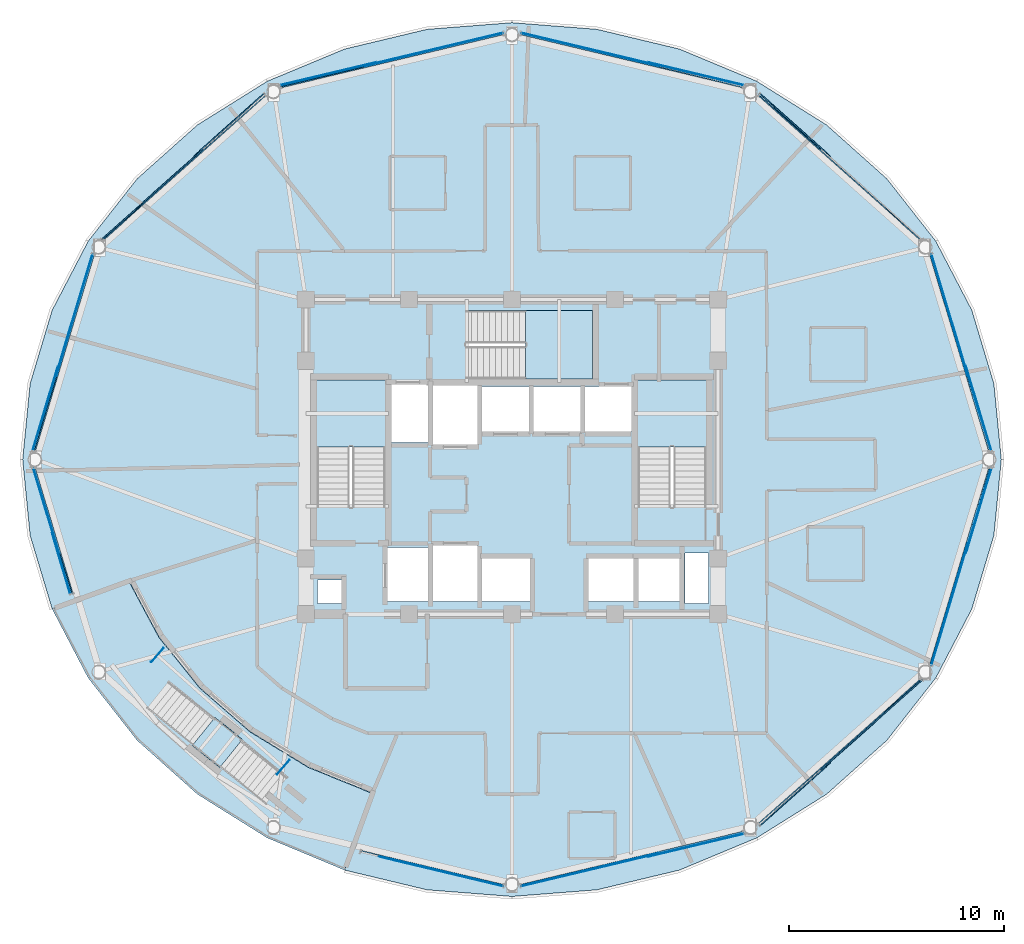
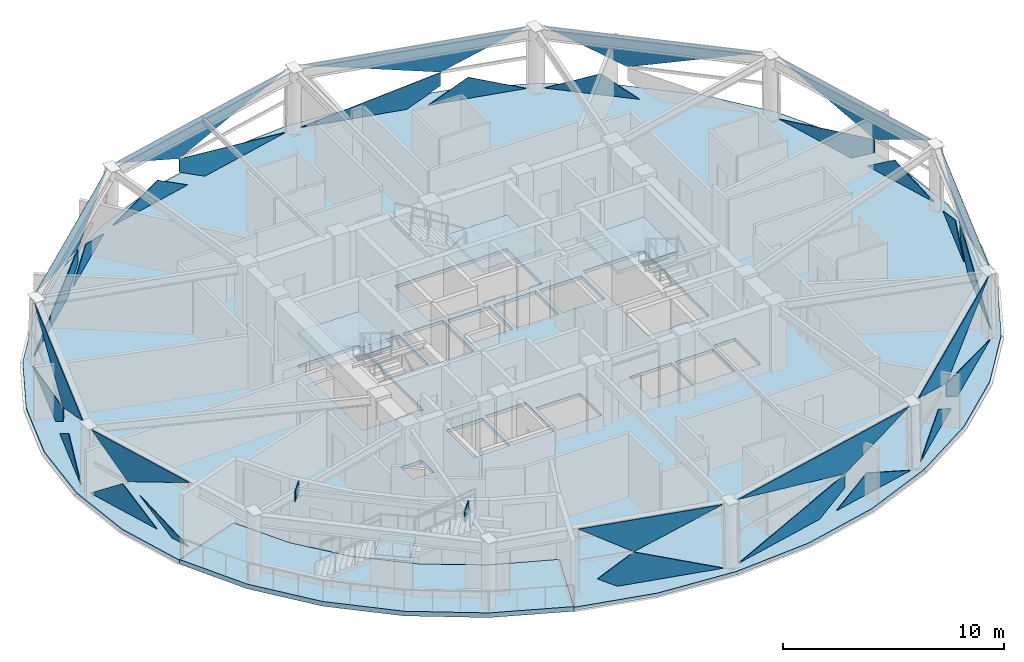
# One storey, part 8 of 17: 33 plates, 6 slabs, 15 elements without a shape of their own.
"""IFC4 building model written with IfcOpenShell, lengths in metres."""

import ifcopenshell
import ifcopenshell.guid

model = None  # the IFC model being written
_history = None  # IfcOwnerHistory: only IFC2X3 demands one
_inside = {}  # id of a spatial element -> (the spatial element, [elements in it])
_under = {}  # id of a project, library or spatial element -> (it, [spatial elements below it])
_declared = {}  # id of a project -> (the project, [libraries it declares])
_typed = {}  # id of a type object -> (the type object, [elements of that type])
_made_of = {}  # id of a material, layer set ... -> (it, [elements and type objects made of it])


def new_model(schema):
    """Start an empty IFC model of exactly this schema.

    Asked for "IFC4X3", IfcOpenShell would pick the latest addendum, in which some entities
    have other attributes; the version numbers below select the first issue.
    IFC2X3 requires an IfcOwnerHistory on every rooted entity: one is made here for all.
    """
    global model, _history
    if schema == "IFC4X3":
        model = ifcopenshell.file(schema_version=(4, 3, 0, 0))
    else:
        model = ifcopenshell.file(schema=schema)
    _inside.clear()
    _under.clear()
    _declared.clear()
    _typed.clear()
    _made_of.clear()
    _history = None
    if model.schema == "IFC2X3":
        org = make("IfcOrganization", Name="unknown")
        user = make(
            "IfcPersonAndOrganization",
            ThePerson=make("IfcPerson", FamilyName="unknown"),
            TheOrganization=org,
        )
        app = make(
            "IfcApplication",
            ApplicationDeveloper=org,
            Version="unknown",
            ApplicationFullName="unknown",
            ApplicationIdentifier="unknown",
        )
        _history = make(
            "IfcOwnerHistory",
            OwningUser=user,
            OwningApplication=app,
            ChangeAction="ADDED",
            CreationDate=0,
        )
    return model


def make(cls, **values):
    """One entity of the class cls with the attributes given. An attribute that is None is left unset."""
    return model.create_entity(
        cls, **{name: value for name, value in values.items() if value is not None}
    )


def rooted(cls, **values):
    """An entity with a GlobalId (a new one), such as an element, a storey or a relation."""
    return make(cls, GlobalId=ifcopenshell.guid.new(), OwnerHistory=_history, **values)


def si_unit(unit_type, name, prefix=None):
    """IfcSIUnit, for example si_unit("LENGTHUNIT", "METRE", prefix="MILLI")."""
    return make("IfcSIUnit", UnitType=unit_type, Prefix=prefix, Name=name)


def assignment(units):
    """IfcUnitAssignment: the units of a project."""
    return None if units is None else make("IfcUnitAssignment", Units=units)


def point(xyz):
    """IfcCartesianPoint."""
    return None if xyz is None else make("IfcCartesianPoint", Coordinates=xyz)


def direction(xyz):
    """IfcDirection."""
    return None if xyz is None else make("IfcDirection", DirectionRatios=xyz)


def frame(location, z_axis=None, x_axis=None):
    """IfcAxis2Placement3D, a coordinate frame: its origin and axes. An axis left out is left unset."""
    return make(
        "IfcAxis2Placement3D",
        Location=point(location),
        Axis=direction(z_axis),
        RefDirection=direction(x_axis),
    )


def frame_2d(location, x_axis=None):
    """IfcAxis2Placement2D, a coordinate frame in the plane: its origin and x axis."""
    return make(
        "IfcAxis2Placement2D", Location=point(location), RefDirection=direction(x_axis)
    )


def origin():
    """The frame at (0, 0, 0) with its axes left unset."""
    return frame((0.0, 0.0, 0.0))


def origin_2d():
    """The frame at (0, 0) in the plane with its x axis left unset."""
    return frame_2d((0.0, 0.0))


def place(relative_to, where):
    """IfcLocalPlacement: puts the frame where relative to a parent placement (None: the world)."""
    return make(
        "IfcLocalPlacement", PlacementRelTo=relative_to, RelativePlacement=where
    )


def context(
    kind, dimensions, precision=None, world=None, true_north=None, identifier=None
):
    """IfcGeometricRepresentationContext, for example the 3D "Model" context."""
    return make(
        "IfcGeometricRepresentationContext",
        ContextIdentifier=identifier,
        ContextType=kind,
        CoordinateSpaceDimension=dimensions,
        Precision=precision,
        WorldCoordinateSystem=world,
        TrueNorth=true_north,
    )


def subcontext(parent, identifier, kind, view, scale=None):
    """IfcGeometricRepresentationSubContext, for example "Body" below "Model"."""
    return make(
        "IfcGeometricRepresentationSubContext",
        ContextIdentifier=identifier,
        ContextType=kind,
        ParentContext=parent,
        TargetScale=scale,
        TargetView=view,
    )


def project(units=None, contexts=None):
    """IfcProject with its units and contexts."""
    return rooted(
        "IfcProject",
        Name="project",
        RepresentationContexts=contexts,
        UnitsInContext=assignment(units),
    )


def spatial(cls, under=None, at=None, **own):
    """A site, building, storey or space (cls), placed at a placement, below another one or the project."""
    s = rooted(cls, ObjectPlacement=at, **own)
    if under is not None:
        _under.setdefault(under.id(), (under, []))[1].append(s)
    return s


def polyline(points):
    """IfcPolyline through the points."""
    return make("IfcPolyline", Points=[point(p) for p in points])


def profile(cls, at=None, kind="AREA", **sizes):
    """A parametric profile (cls). Its sizes go by their IFC names, for example OverallWidth=200.0."""
    return make(cls, ProfileType=kind, Position=at, **sizes)


def rectangle(**sizes):
    """IfcRectangleProfileDef."""
    return profile("IfcRectangleProfileDef", **sizes)


def outline(outer, holes=None, kind="AREA"):
    """IfcArbitraryClosedProfileDef: a profile drawn as a closed curve; with holes, ...WithVoids."""
    if holes is None:
        return make("IfcArbitraryClosedProfileDef", ProfileType=kind, OuterCurve=outer)
    return make(
        "IfcArbitraryProfileDefWithVoids",
        ProfileType=kind,
        OuterCurve=outer,
        InnerCurves=holes,
    )


def extrude(swept, where, along, depth):
    """IfcExtrudedAreaSolid: the profile swept, set in the frame where, extruded along a direction by depth."""
    return make(
        "IfcExtrudedAreaSolid",
        SweptArea=swept,
        Position=where,
        ExtrudedDirection=direction(along),
        Depth=depth,
    )


def shape(context_of_items, identifier, shape_type, items):
    """IfcShapeRepresentation: the items that make up one representation, for example the "Body"."""
    return make(
        "IfcShapeRepresentation",
        ContextOfItems=context_of_items,
        RepresentationIdentifier=identifier,
        RepresentationType=shape_type,
        Items=items,
    )


def material(Name=None, Category=None):
    """IfcMaterial."""
    return make("IfcMaterial", Name=Name, Category=Category)


def layer(
    of_material, thickness, ventilated=None, Name=None, Category=None, Priority=None
):
    """IfcMaterialLayer: one layer of a wall or slab, of a material (None: an air gap)."""
    return make(
        "IfcMaterialLayer",
        Material=of_material,
        LayerThickness=thickness,
        IsVentilated=ventilated,
        Name=Name,
        Category=Category,
        Priority=Priority,
    )


def layer_set(layers, Name=None):
    """IfcMaterialLayerSet."""
    return make("IfcMaterialLayerSet", MaterialLayers=layers, LayerSetName=Name)


def made_of(thing, what):
    """Note that an element or type object is made of a material, layer set ...; save() writes the relation."""
    if what is not None:
        _made_of.setdefault(what.id(), (what, []))[1].append(thing)
    return thing


def type_object(cls, material=None, **own):
    """A type object (cls), such as IfcWallType, which elements share."""
    return made_of(rooted(cls, **own), material)


def element(
    cls,
    number,
    at=None,
    inside=None,
    cuts=None,
    type_object=None,
    material=None,
    context=None,
    identifier="Body",
    shape_type=None,
    held_by="IfcProductDefinitionShape",
    body=None,
    shapes=None,
    **own,
):
    """One element of the class cls, such as IfcWall. Its Tag is "e" and its number.

    at: its placement. inside: the storey or other place that contains it. cuts: it is an
    opening in that element (IfcRelVoidsElement). A single representation is given by context,
    identifier, shape_type and body (its items); several are given by shapes. held_by: the class
    of the entity that holds the representations. save() writes the other relations.
    """
    e = rooted(cls, Tag="e%d" % number, ObjectPlacement=at, **own)
    if body is not None:
        shapes = [shape(context, identifier, shape_type, body)]
    if shapes is not None:
        e.Representation = make(held_by, Representations=shapes)
    if inside is not None:
        _inside.setdefault(inside.id(), (inside, []))[1].append(e)
    if cuts is not None:
        rooted(
            "IfcRelVoidsElement", RelatingBuildingElement=cuts, RelatedOpeningElement=e
        )
    if type_object is not None:
        _typed.setdefault(type_object.id(), (type_object, []))[1].append(e)
    return made_of(e, material)


def aggregate(whole, parts):
    """IfcRelAggregates: a whole, such as a stair, and the parts it consists of."""
    return rooted("IfcRelAggregates", RelatingObject=whole, RelatedObjects=parts)


def save(model, path):
    """Write the relations noted so far, then the file.

    IfcRelAggregates (storeys below a building ...), IfcRelContainedInSpatialStructure (elements
    in a storey), IfcRelDefinesByType, IfcRelAssociatesMaterial and IfcRelDeclares: one each for
    every whole, place, type object, material and project.
    """
    for whole, parts in _under.values():
        aggregate(whole, parts)
    for where, things in _inside.values():
        rooted(
            "IfcRelContainedInSpatialStructure",
            RelatedElements=things,
            RelatingStructure=where,
        )
    for kind, things in _typed.values():
        rooted("IfcRelDefinesByType", RelatedObjects=things, RelatingType=kind)
    for what, things in _made_of.values():
        rooted("IfcRelAssociatesMaterial", RelatedObjects=things, RelatingMaterial=what)
    for by, libraries in _declared.values():
        rooted("IfcRelDeclares", RelatingContext=by, RelatedDefinitions=libraries)
    model.write(path)


model = new_model("IFC4")

# Units and contexts
model_context = context("Model", 3, precision=1e-05, world=origin(), true_north=direction((0.0, 1.0)))
body_context = subcontext(model_context, "Body", "Model", "MODEL_VIEW")
ifc_project = project(units=[si_unit("LENGTHUNIT", "METRE"), si_unit("AREAUNIT", "SQUARE_METRE"), si_unit("VOLUMEUNIT", "CUBIC_METRE"), si_unit("PLANEANGLEUNIT", "RADIAN"), si_unit("MASSUNIT", "GRAM", prefix="KILO")], contexts=[model_context])

# Site, building, storey
site_placement = place(None, origin())
site = spatial("IfcSite", under=ifc_project, at=site_placement, CompositionType="ELEMENT")
building_placement = place(site_placement, origin())
building = spatial("IfcBuilding", under=site, at=building_placement, Name="Vantalir Tower", CompositionType="ELEMENT")
storey_placement = place(building_placement, frame((0.0, 0.0, 208.64990234375)))
storey = spatial("IfcBuildingStorey", under=building, at=storey_placement, Name="L52", CompositionType="ELEMENT", Elevation=208.64990234375)

# Curtain wall, plates
ifc_material_1 = material(Name="Champagne-silver PVDF aluminium and double-silver Low-E glass", Category="aluminium")
ifc_layer_1 = layer(ifc_material_1, 0.2099609375)
ifc_layer_set_1 = layer_set([ifc_layer_1], Name="Champagne-silver PVDF aluminium and double-silver Low-E glass")
curtain_wall_type = type_object("IfcCurtainWallType", Name="CW-DIAMOND-Z3", PredefinedType="USERDEFINED", material=ifc_layer_set_1)
curtain_wall_1_placement = place(storey_placement, origin())
curtain_wall_1 = element("IfcCurtainWall", 1, at=curtain_wall_1_placement, inside=storey, type_object=curtain_wall_type, Name="L52 Quilted Pyramid-Diamond Curtain Wall S01", ObjectType="UNITISED CURTAIN WALL", PredefinedType="USERDEFINED")
ifc_material_2 = material(Name="Double-silver Low-E acoustic glass IGU", Category="glass")
ifc_layer_2 = layer(ifc_material_2, 0.031982421875)
ifc_layer_set_2 = layer_set([ifc_layer_2], Name="Double-silver Low-E acoustic glass IGU")
plate_type_1 = type_object("IfcPlateType", Name="CWP-IGU-32", PredefinedType="CURTAIN_PANEL", material=ifc_layer_set_2)
plate_1_placement = place(storey_placement, frame((52.332763671875, 30.29248046875, 0.046875), z_axis=(0.957618998423, 0.287967056725, 0.006389687075), x_axis=(-0.287972935669, 0.957638547847, 3.1017e-08)))
plate_1 = element("IfcPlate", 2, at=plate_1_placement, type_object=plate_type_1, Name="CW-L52-S01 Pyramid Diamond Facet 1L", PredefinedType="CURTAIN_PANEL", context=body_context, shape_type="SweptSolid", body=[
    extrude(outline(polyline([(0.0, 0.0), (4.481346516601035, 0.0), (-1.454177272270256, 1.7258653554914418), (-1.4540400100749344, 0.9978232882963705), (0.0, 0.0)])), origin(), (0.0, 0.0, -1.0), 0.031982421875),
])
plate_2_placement = place(storey_placement, frame((53.836181640625, 25.417236328125, 0.04736328125), z_axis=(0.957632287629, 0.287922552718, 0.006403540232), x_axis=(-0.28792809308, 0.95765202956, -5.9110674e-05)))
plate_2 = element("IfcPlate", 3, at=plate_2_placement, type_object=plate_type_1, Name="CW-L52-S01 Pyramid Diamond Facet 1L Infill Light", PredefinedType="CURTAIN_PANEL", context=body_context, shape_type="SweptSolid", body=[
    extrude(outline(polyline([(0.0, 0.0), (4.130229084817421, -1.2468324983583301e-18), (2.4444514409389533, 1.1564182050892688), (0.0, 0.0)])), origin(), (0.0, 0.0, -1.0), 0.031982421875),
])
plate_3_placement = place(storey_placement, frame((50.9794921875, 34.551025390625, 3.5234375), z_axis=(0.957104445947, 0.287764173642, 0.033806211212), x_axis=(0.287929579949, -0.957651583999, -2.556874e-05)))
plate_3 = element("IfcPlate", 4, at=plate_3_placement, type_object=plate_type_1, Name="CW-L52-S01 Pyramid Diamond Facet 2U", PredefinedType="CURTAIN_PANEL", context=body_context, shape_type="SweptSolid", body=[
    extrude(outline(polyline([(0.0, 0.0), (9.548402698361661, -1.4772254600114998e-17), (5.921930539800164, 1.7266656129143867), (0.0, 0.0)])), origin(), (0.0, 0.0, -1.0), 0.031982421875),
])
aggregate(curtain_wall_1, [plate_1, plate_2, plate_3])

curtain_wall_2_placement = place(storey_placement, origin())
curtain_wall_2 = element("IfcCurtainWall", 5, at=curtain_wall_2_placement, inside=storey, type_object=curtain_wall_type, Name="L52 Quilted Pyramid-Diamond Curtain Wall S02", ObjectType="UNITISED CURTAIN WALL", PredefinedType="USERDEFINED")
plate_4_placement = place(storey_placement, frame((46.32861328125, 39.131103515625, 0.047119140625), z_axis=(0.665337653672, 0.746522535893, 0.005469004501), x_axis=(-0.746533700391, 0.665347604024, 0.0)))
plate_4 = element("IfcPlate", 6, at=plate_4_placement, type_object=plate_type_1, Name="CW-L52-S02 Pyramid Diamond Facet 1L Infill Light", PredefinedType="CURTAIN_PANEL", context=body_context, shape_type="SweptSolid", body=[
    extrude(outline(polyline([(0.0, 0.0), (4.387465191836185, 0.0), (1.7900733781249443, 1.1613943219129037), (0.0, 0.0)])), origin(), (0.0, 0.0, -1.0), 0.031982421875),
])
plate_5_placement = place(storey_placement, frame((42.9931640625, 41.96630859375, 3.523193359375), z_axis=(0.664965845756, 0.746144629459, 0.032994179908), x_axis=(0.746550563126, -0.665328682767, 2.4151615e-05)))
plate_5 = element("IfcPlate", 7, at=plate_5_placement, type_object=plate_type_1, Name="CW-L52-S02 Pyramid Diamond Facet 2U", PredefinedType="CURTAIN_PANEL", context=body_context, shape_type="SweptSolid", body=[
    extrude(outline(polyline([(0.0, 0.0), (10.108666756302409, -9.486769009248164e-19), (3.8489526611959124, 1.7268632383958833), (0.0, 0.0)])), origin(), (0.0, 0.0, -1.0), 0.031982421875),
])
aggregate(curtain_wall_2, [plate_4, plate_5])

curtain_wall_3_placement = place(storey_placement, origin())
curtain_wall_3 = element("IfcCurtainWall", 8, at=curtain_wall_3_placement, inside=storey, type_object=curtain_wall_type, Name="L52 Quilted Pyramid-Diamond Curtain Wall S03", ObjectType="UNITISED CURTAIN WALL", PredefinedType="USERDEFINED")
plate_6_placement = place(storey_placement, frame((36.7880859375, 43.720458984375, 0.046630859375), z_axis=(0.232237964811, 0.972647696836, 0.004688874074), x_axis=(-0.972658389225, 0.232240517287, 1.10522e-07)))
plate_6 = element("IfcPlate", 9, at=plate_6_placement, type_object=plate_type_1, Name="CW-L52-S03 Pyramid Diamond Facet 1L", PredefinedType="CURTAIN_PANEL", context=body_context, shape_type="SweptSolid", body=[
    extrude(outline(polyline([(0.0, 0.0), (5.011757959855386, -8.673617379884035e-19), (-1.6018286221479079, 1.7263375137482397), (-1.6020414732655164, 0.9943964278280124), (0.0, 0.0)])), origin(), (0.0, 0.0, -1.0), 0.031982421875),
])
plate_7_placement = place(storey_placement, frame((42.30712890625, 42.439697265625, 0.047119140625), z_axis=(0.232219668287, 0.972651938305, 0.004715142894), x_axis=(-0.97266269159, 0.232222491592, -5.280184e-05)))
plate_7 = element("IfcPlate", 10, at=plate_7_placement, type_object=plate_type_1, Name="CW-L52-S03 Pyramid Diamond Facet 1L Infill Light", PredefinedType="CURTAIN_PANEL", context=body_context, shape_type="SweptSolid", body=[
    extrude(outline(polyline([(0.0, 0.0), (4.623714358544844, 1.111307226797642e-18), (2.7448423725168345, 1.166173522943766), (0.0, 0.0)])), origin(), (0.0, 0.0, -1.0), 0.031982421875),
])
plate_8_placement = place(storey_placement, frame((31.913330078125, 44.818359375, 3.523681640625), z_axis=(0.232085860317, 0.972165970276, 0.032085505739), x_axis=(0.972666940319, -0.232204699961, -2.2945128e-05)))
plate_8 = element("IfcPlate", 11, at=plate_8_placement, type_object=plate_type_1, Name="CW-L52-S03 Pyramid Diamond Facet 2U", PredefinedType="CURTAIN_PANEL", context=body_context, shape_type="SweptSolid", body=[
    extrude(outline(polyline([(0.0, 0.0), (10.640194300198624, -1.8973538018496328e-18), (6.598433008094582, 1.7273004378598509), (0.0, 0.0)])), origin(), (0.0, 0.0, -1.0), 0.031982421875),
])
aggregate(curtain_wall_3, [plate_6, plate_7, plate_8])

curtain_wall_4_placement = place(storey_placement, origin())
curtain_wall_4 = element("IfcCurtainWall", 12, at=curtain_wall_4_placement, inside=storey, type_object=curtain_wall_type, Name="L52 Quilted Pyramid-Diamond Curtain Wall S04", ObjectType="UNITISED CURTAIN WALL", PredefinedType="USERDEFINED")
plate_9_placement = place(storey_placement, frame((31.086669921875, 44.88427734375, 0.046630859375), z_axis=(-0.232222165279, 0.972651554544, 0.004671123635), x_axis=(-0.972662165975, -0.232224699119, 7.1555e-08)))
plate_9 = element("IfcPlate", 13, at=plate_9_placement, type_object=plate_type_1, Name="CW-L52-S04 Pyramid Diamond Facet 1L", PredefinedType="CURTAIN_PANEL", context=body_context, shape_type="SweptSolid", body=[
    extrude(outline(polyline([(0.0, 0.0), (5.011283028415573, 8.673617379884035e-19), (6.613267909309887, 0.9946392843137757), (6.613349299382843, 1.7263370786587382), (0.0, 0.0)])), origin(), (0.0, 0.0, -1.0), 0.031982421875),
])
plate_10_placement = place(storey_placement, frame((25.190673828125, 43.513671875, 0.046875), z_axis=(-0.232245579308, 0.972644960928, 0.004875538216), x_axis=(-0.972656460305, -0.232248589746, 5.2795769e-05)))
plate_10 = element("IfcPlate", 14, at=plate_10_placement, type_object=plate_type_1, Name="CW-L52-S04 Pyramid Diamond Facet 1L Infill Light", PredefinedType="CURTAIN_PANEL", context=body_context, shape_type="SweptSolid", body=[
    extrude(outline(polyline([(0.0, 0.0), (4.624245988108554, 6.2341624917916505e-19), (1.8789288271275277, 1.1661744283315967), (0.0, 0.0)])), origin(), (0.0, 0.0, -1.0), 0.031982421875),
])
plate_11_placement = place(storey_placement, frame((20.73828125, 42.34765625, 3.5234375), z_axis=(-0.232106219748, 0.972159506168, 0.032134052365), x_axis=(0.972661990941, 0.232225431107, 2.2947177e-05)))
plate_11 = element("IfcPlate", 15, at=plate_11_placement, type_object=plate_type_1, Name="CW-L52-S04 Pyramid Diamond Facet 2U", PredefinedType="CURTAIN_PANEL", context=body_context, shape_type="SweptSolid", body=[
    extrude(outline(polyline([(0.0, 0.0), (10.639244432556302, 4.824699667560495e-18), (4.0410500699672225, 1.7273031251489201), (0.0, 0.0)])), origin(), (0.0, 0.0, -1.0), 0.031982421875),
])
aggregate(curtain_wall_4, [plate_9, plate_10, plate_11])

curtain_wall_5_placement = place(storey_placement, origin())
curtain_wall_5 = element("IfcCurtainWall", 16, at=curtain_wall_5_placement, inside=storey, type_object=curtain_wall_type, Name="L52 Quilted Pyramid-Diamond Curtain Wall S05", ObjectType="UNITISED CURTAIN WALL", PredefinedType="USERDEFINED")
plate_12_placement = place(storey_placement, frame((15.941650390625, 38.432373046875, 0.046875), z_axis=(-0.665315526241, 0.746543020704, 0.005363653681), x_axis=(-0.74655394229, -0.665324889509, -5.1498264e-05)))
plate_12 = element("IfcPlate", 17, at=plate_12_placement, type_object=plate_type_1, Name="CW-L52-S05 Pyramid Diamond Facet 1L", PredefinedType="CURTAIN_PANEL", context=body_context, shape_type="SweptSolid", body=[
    extrude(outline(polyline([(0.0, 0.0), (4.747666896025987, 1.1926223897340549e-18), (-1.5373522553056702, 1.7257757338521833), (-1.5372590264214525, 0.997249277226459), (0.0, 0.0)])), origin(), (0.0, 0.0, -1.0), 0.031982421875),
])
plate_13_placement = place(storey_placement, frame((19.94677734375, 42.05029296875, 0.047119140625), z_axis=(-0.665362246415, 0.746501269104, 0.005379244532), x_axis=(-0.74651206982, -0.665371873175, 0.0)))
plate_13 = element("IfcPlate", 18, at=plate_13_placement, type_object=plate_type_1, Name="CW-L52-S05 Pyramid Diamond Facet 1L Infill Light", PredefinedType="CURTAIN_PANEL", context=body_context, shape_type="SweptSolid", body=[
    extrude(outline(polyline([(0.0, 0.0), (4.38693823736612, -3.469446951953614e-18), (2.5970473206006144, 1.1613937564492238), (0.0, 0.0)])), origin(), (0.0, 0.0, -1.0), 0.031982421875),
])
plate_14_placement = place(storey_placement, frame((12.460205078125, 35.24072265625, 3.5234375), z_axis=(-0.664916903764, 0.74618626103, 0.033038991182), x_axis=(0.746593322534, 0.66528070028, -2.4149873e-05)))
plate_14 = element("IfcPlate", 19, at=plate_14_placement, type_object=plate_type_1, Name="CW-L52-S05 Pyramid Diamond Facet 2U", PredefinedType="CURTAIN_PANEL", context=body_context, shape_type="SweptSolid", body=[
    extrude(outline(polyline([(0.0, 0.0), (10.109395830466081, 8.673617379884035e-18), (6.260074964793641, 1.7268657982956737), (0.0, 0.0)])), origin(), (0.0, 0.0, -1.0), 0.031982421875),
])
aggregate(curtain_wall_5, [plate_12, plate_13, plate_14])

curtain_wall_6_placement = place(storey_placement, origin())
curtain_wall_6 = element("IfcCurtainWall", 20, at=curtain_wall_6_placement, inside=storey, type_object=curtain_wall_type, Name="L52 Quilted Pyramid-Diamond Curtain Wall S06", ObjectType="UNITISED CURTAIN WALL", PredefinedType="USERDEFINED")
plate_15_placement = place(storey_placement, frame((11.957763671875, 34.583984375, 0.046875), z_axis=(-0.957618998423, 0.287967056725, 0.006389687075), x_axis=(-0.287972935669, -0.957638547847, -3.1017e-08)))
plate_15 = element("IfcPlate", 21, at=plate_15_placement, type_object=plate_type_1, Name="CW-L52-S06 Pyramid Diamond Facet 1L", PredefinedType="CURTAIN_PANEL", context=body_context, shape_type="SweptSolid", body=[
    extrude(outline(polyline([(0.0, 0.0), (4.481346516601035, 0.0), (5.935386526675969, 0.9978232882963705), (5.93552378887129, 1.7258653554914418), (0.0, 0.0)])), origin(), (0.0, 0.0, -1.0), 0.031982421875),
])
plate_16_placement = place(storey_placement, frame((10.35302734375, 29.37255859375, 0.047119140625), z_axis=(-0.957632287629, 0.287922552718, 0.006403540232), x_axis=(-0.28792809308, -0.95765202956, 5.9110674e-05)))
plate_16 = element("IfcPlate", 22, at=plate_16_placement, type_object=plate_type_1, Name="CW-L52-S06 Pyramid Diamond Facet 1L Infill Light", PredefinedType="CURTAIN_PANEL", context=body_context, shape_type="SweptSolid", body=[
    extrude(outline(polyline([(0.0, 0.0), (4.130229084817421, 1.2468324983583301e-18), (1.6857776438784673, 1.1564182050892686), (0.0, 0.0)])), origin(), (0.0, 0.0, -1.0), 0.031982421875),
])
plate_17_placement = place(storey_placement, frame((9.271240234375, 25.406982421875, 3.523193359375), z_axis=(-0.957104445947, 0.287764173642, 0.033806211212), x_axis=(0.287929579949, 0.957651583999, 2.556874e-05)))
plate_17 = element("IfcPlate", 23, at=plate_17_placement, type_object=plate_type_1, Name="CW-L52-S06 Pyramid Diamond Facet 2U", PredefinedType="CURTAIN_PANEL", context=body_context, shape_type="SweptSolid", body=[
    extrude(outline(polyline([(0.0, 0.0), (9.548402698361661, 1.4772254600114998e-17), (3.6264721585614974, 1.7266656129143867), (0.0, 0.0)])), origin(), (0.0, 0.0, -1.0), 0.031982421875),
])
aggregate(curtain_wall_6, [plate_15, plate_16, plate_17])

curtain_wall_7_placement = place(storey_placement, origin())
curtain_wall_7 = element("IfcCurtainWall", 24, at=curtain_wall_7_placement, inside=storey, type_object=curtain_wall_type, Name="L52 Quilted Pyramid-Diamond Curtain Wall S07", ObjectType="UNITISED CURTAIN WALL", PredefinedType="USERDEFINED")
plate_18_placement = place(storey_placement, frame((9.1982421875, 24.59326171875, 0.048095703125), z_axis=(-0.957628712544, -0.287933461605, 0.006447526624), x_axis=(0.287939080998, -0.957648725858, -5.9125068e-05)))
plate_18 = element("IfcPlate", 25, at=plate_18_placement, type_object=plate_type_1, Name="CW-L52-S07 Pyramid Diamond Facet 1L", PredefinedType="CURTAIN_PANEL", context=body_context, shape_type="SweptSolid", body=[
    extrude(outline(polyline([(0.0, 0.0), (4.129223583084507, -1.0842021724855044e-19), (1.9846494386968037, 1.4710951882016006), (0.0, 0.0)])), origin(), (0.0, 0.0, -1.0), 0.031982421875),
])
plate_19_placement = place(storey_placement, frame((10.63232421875, 19.6982421875, 0.048095703125), z_axis=(-0.957638286522, -0.287900006815, 0.006519069176), x_axis=(0.287904600604, -0.957659063562, -0.000242752614)))
plate_19 = element("IfcPlate", 26, at=plate_19_placement, type_object=plate_type_1, Name="CW-L52-S07 Pyramid Diamond Facet 1L Infill Light", PredefinedType="CURTAIN_PANEL", context=body_context, shape_type="SweptSolid", body=[
    extrude(outline(polyline([(0.0, 0.0), (1.005717799028462, 5.421010862427522e-20), (-1.9904818869821865, 1.36478022123391), (0.0, 0.0)])), origin(), (0.0, 0.0, -1.0), 0.031982421875),
])
plate_20_placement = place(storey_placement, frame((11.022705078125, 18.767333984375, 3.5224609375), z_axis=(-0.957116058188, -0.287737635464, 0.033703179329), x_axis=(-0.287903787159, 0.957659335514, -8.0263113e-05)))
plate_20 = element("IfcPlate", 27, at=plate_20_placement, type_object=plate_type_1, Name="CW-L52-S07 Pyramid Diamond Facet 2U", PredefinedType="CURTAIN_PANEL", context=body_context, shape_type="SweptSolid", body=[
    extrude(outline(polyline([(0.0, 0.0), (6.083507483637265, -1.441988889405721e-17), (3.779681326806924, 1.7243090523608195), (0.0, 0.0)])), origin(), (0.0, 0.0, -1.0), 0.031982421875),
])
aggregate(curtain_wall_7, [plate_18, plate_19, plate_20])

curtain_wall_8_placement = place(storey_placement, origin())
curtain_wall_8 = element("IfcCurtainWall", 28, at=curtain_wall_8_placement, inside=storey, type_object=curtain_wall_type, Name="L52 Quilted Pyramid-Diamond Curtain Wall S09", ObjectType="UNITISED CURTAIN WALL", PredefinedType="USERDEFINED")
plate_21_placement = place(storey_placement, frame((26.210205078125, 6.280029296875, 0.047607421875), z_axis=(-0.232238987877, -0.972647759145, 0.004624839409), x_axis=(0.972658108013, -0.232241689959, -4.8599146e-05)))
plate_21 = element("IfcPlate", 29, at=plate_21_placement, type_object=plate_type_1, Name="CW-L52-S09 Pyramid Diamond Facet 1L", PredefinedType="CURTAIN_PANEL", context=body_context, shape_type="SweptSolid", body=[
    extrude(outline(polyline([(0.0, 0.0), (5.013771087785652, 5.421010862427522e-20), (0.7786335242994727, 1.7239332329080816), (-0.9407060143477204, 0.583945378890304), (0.0, 0.0)])), origin(), (0.0, 0.0, -1.0), 0.031982421875),
])
plate_22_placement = place(storey_placement, frame((31.086669921875, 5.181640625, 3.522705078125), z_axis=(-0.232070092126, -0.97216699727, 0.032168334744), x_axis=(-0.972670655316, 0.232189136272, -3.5848253e-05)))
plate_22 = element("IfcPlate", 30, at=plate_22_placement, type_object=plate_type_1, Name="CW-L52-S09 Pyramid Diamond Facet 2U", PredefinedType="CURTAIN_PANEL", context=body_context, shape_type="SweptSolid", body=[
    extrude(outline(polyline([(0.0, 0.0), (6.8103911040433065, -1.5178830414797062e-18), (4.219685619226265, 1.7248625028727826), (0.0, 0.0)])), origin(), (0.0, 0.0, -1.0), 0.031982421875),
])
aggregate(curtain_wall_8, [plate_21, plate_22])

curtain_wall_9_placement = place(storey_placement, origin())
curtain_wall_9 = element("IfcCurtainWall", 31, at=curtain_wall_9_placement, inside=storey, type_object=curtain_wall_type, Name="L52 Quilted Pyramid-Diamond Curtain Wall S10", ObjectType="UNITISED CURTAIN WALL", PredefinedType="USERDEFINED")
plate_23_placement = place(storey_placement, frame((31.913330078125, 5.11572265625, 0.046630859375), z_axis=(0.232237964811, -0.972647696836, 0.004688874074), x_axis=(0.972658389225, 0.232240517287, -1.10522e-07)))
plate_23 = element("IfcPlate", 32, at=plate_23_placement, type_object=plate_type_1, Name="CW-L52-S10 Pyramid Diamond Facet 1L", PredefinedType="CURTAIN_PANEL", context=body_context, shape_type="SweptSolid", body=[
    extrude(outline(polyline([(0.0, 0.0), (5.011757959855386, 8.673617379884035e-19), (6.613799433120902, 0.9943964278280124), (6.613586582003293, 1.7263375137482397), (0.0, 0.0)])), origin(), (0.0, 0.0, -1.0), 0.031982421875),
])
plate_24_placement = place(storey_placement, frame((37.809814453125, 6.486572265625, 0.046875), z_axis=(0.232219668287, -0.972651938305, 0.004715142894), x_axis=(0.97266269159, 0.232222491592, 5.280184e-05)))
plate_24 = element("IfcPlate", 33, at=plate_24_placement, type_object=plate_type_1, Name="CW-L52-S10 Pyramid Diamond Facet 1L Infill Light", PredefinedType="CURTAIN_PANEL", context=body_context, shape_type="SweptSolid", body=[
    extrude(outline(polyline([(0.0, 0.0), (4.623714358544844, -1.111307226797642e-18), (1.8788719860280096, 1.166173522943766), (0.0, 0.0)])), origin(), (0.0, 0.0, -1.0), 0.031982421875),
])
plate_25_placement = place(storey_placement, frame((42.2626953125, 7.65234375, 3.5234375), z_axis=(0.232085860317, -0.972165970276, 0.032085505739), x_axis=(-0.972666940319, -0.232204699961, 2.2945128e-05)))
plate_25 = element("IfcPlate", 34, at=plate_25_placement, type_object=plate_type_1, Name="CW-L52-S10 Pyramid Diamond Facet 2U", PredefinedType="CURTAIN_PANEL", context=body_context, shape_type="SweptSolid", body=[
    extrude(outline(polyline([(0.0, 0.0), (10.640194300198624, 1.8973538018496328e-18), (4.041761292104044, 1.7273004378598507), (0.0, 0.0)])), origin(), (0.0, 0.0, -1.0), 0.031982421875),
])
aggregate(curtain_wall_9, [plate_23, plate_24, plate_25])

curtain_wall_10_placement = place(storey_placement, origin())
curtain_wall_10 = element("IfcCurtainWall", 35, at=curtain_wall_10_placement, inside=storey, type_object=curtain_wall_type, Name="L52 Quilted Pyramid-Diamond Curtain Wall S11", ObjectType="UNITISED CURTAIN WALL", PredefinedType="USERDEFINED")
plate_26_placement = place(storey_placement, frame((47.05908203125, 11.567626953125, 0.046875), z_axis=(0.665273993056, -0.746579793568, 0.005396850805), x_axis=(0.746590850121, 0.665283473313, -5.1487203e-05)))
plate_26 = element("IfcPlate", 36, at=plate_26_placement, type_object=plate_type_1, Name="CW-L52-S11 Pyramid Diamond Facet 1L", PredefinedType="CURTAIN_PANEL", context=body_context, shape_type="SweptSolid", body=[
    extrude(outline(polyline([(0.0, 0.0), (4.746470382040068, 8.673617379884035e-19), (-1.5378797163926115, 1.7257760319452036), (-1.5377863002521097, 0.9977378476831524), (0.0, 0.0)])), origin(), (0.0, 0.0, -1.0), 0.031982421875),
])
plate_27_placement = place(storey_placement, frame((43.05322265625, 7.94970703125, 0.047119140625), z_axis=(0.665279437661, -0.746575294003, 0.005347916468), x_axis=(0.746585970337, 0.665288951431, 0.0)))
plate_27 = element("IfcPlate", 37, at=plate_27_placement, type_object=plate_type_1, Name="CW-L52-S11 Pyramid Diamond Facet 1L Infill Light", PredefinedType="CURTAIN_PANEL", context=body_context, shape_type="SweptSolid", body=[
    extrude(outline(polyline([(0.0, 0.0), (4.387485026200872, -3.469446951953614e-18), (2.5974111545888205, 1.16139356129394), (0.0, 0.0)])), origin(), (0.0, 0.0, -1.0), 0.031982421875),
])
plate_28_placement = place(storey_placement, frame((50.539794921875, 14.75830078125, 3.5234375), z_axis=(0.664913238556, -0.74619394627, 0.032939030692), x_axis=(-0.746598548842, -0.66527483515, -2.4153167e-05)))
plate_28 = element("IfcPlate", 38, at=plate_28_placement, type_object=plate_type_1, Name="CW-L52-S11 Pyramid Diamond Facet 2U", PredefinedType="CURTAIN_PANEL", context=body_context, shape_type="SweptSolid", body=[
    extrude(outline(polyline([(0.0, 0.0), (10.10801704755258, 8.131516293641283e-19), (6.259222710165378, 1.7268600975554877), (0.0, 0.0)])), origin(), (0.0, 0.0, -1.0), 0.031982421875),
])
aggregate(curtain_wall_10, [plate_26, plate_27, plate_28])

curtain_wall_11_placement = place(storey_placement, origin())
curtain_wall_11 = element("IfcCurtainWall", 39, at=curtain_wall_11_placement, inside=storey, type_object=curtain_wall_type, Name="L52 Quilted Pyramid-Diamond Curtain Wall S12", ObjectType="UNITISED CURTAIN WALL", PredefinedType="USERDEFINED")
plate_29_placement = place(storey_placement, frame((51.042236328125, 15.4150390625, 0.046875), z_axis=(0.957636384534, -0.28791209011, 0.006259663324), x_axis=(0.287917730952, 0.957655146806, 1.514e-09)))
plate_29 = element("IfcPlate", 40, at=plate_29_placement, type_object=plate_type_1, Name="CW-L52-S12 Pyramid Diamond Facet 1L", PredefinedType="CURTAIN_PANEL", context=body_context, shape_type="SweptSolid", body=[
    extrude(outline(polyline([(0.0, 0.0), (4.482281718005405, 0.0), (5.93608832439077, 0.9975781291998511), (5.935992074657443, 1.725863888850283), (0.0, 0.0)])), origin(), (0.0, 0.0, -1.0), 0.031982421875),
])
plate_30_placement = place(storey_placement, frame((52.64697265625, 20.62744140625, 0.047119140625), z_axis=(0.957632659654, -0.287922660819, 0.006342755829), x_axis=(0.28792809308, 0.95765202956, 5.9110674e-05)))
plate_30 = element("IfcPlate", 41, at=plate_30_placement, type_object=plate_type_1, Name="CW-L52-S12 Pyramid Diamond Facet 1L Infill Light", PredefinedType="CURTAIN_PANEL", context=body_context, shape_type="SweptSolid", body=[
    extrude(outline(polyline([(0.0, 0.0), (4.130229084817421, 6.505213034913027e-19), (1.6855438421134379, 1.1564177709090784), (0.0, 0.0)])), origin(), (0.0, 0.0, -1.0), 0.031982421875),
])
plate_31_placement = place(storey_placement, frame((53.728759765625, 24.593017578125, 3.523193359375), z_axis=(0.957113602266, -0.287736197608, 0.03378509944), x_axis=(-0.287901381676, -0.9576600617, 2.5566236e-05)))
plate_31 = element("IfcPlate", 42, at=plate_31_placement, type_object=plate_type_1, Name="CW-L52-S12 Pyramid Diamond Facet 2U", PredefinedType="CURTAIN_PANEL", context=body_context, shape_type="SweptSolid", body=[
    extrude(outline(polyline([(0.0, 0.0), (9.549337909126367, -1.4257258568184383e-17), (3.626707683806754, 1.7266643764927894), (0.0, 0.0)])), origin(), (0.0, 0.0, -1.0), 0.031982421875),
])
aggregate(curtain_wall_11, [plate_29, plate_30, plate_31])

# Plates
ifc_material_3 = material(Name="Steel S460", Category="steel")
ifc_layer_3 = layer(ifc_material_3, 0.035888671875)
ifc_layer_set_3 = layer_set([ifc_layer_3], Name="Steel S460")
plate_type_2 = type_object("IfcPlateType", Name="PLT-KN-Z2", PredefinedType="USERDEFINED", material=ifc_layer_set_3)
for number, where, z_axis, x_axis, name in (
    (43, (14.98291015625, 15.89208984375, 3.130126953125), (0.0, 0.0, 1.0), (0.74693997736, -0.664891472514, 0.0), "L52 Lintel Cap 1A"),
    (44, (20.844970703125, 10.674072265625, 3.130126953125), (0.0, 0.0, 1.0), (0.74693997736, -0.664891472514, 0.0), "L52 Lintel Cap 1B"),
):
    element("IfcPlate", number, at=place(storey_placement, frame(where, z_axis=z_axis, x_axis=x_axis)), inside=storey, type_object=plate_type_2, Name=name, ObjectType="FLANGE_PLATE", PredefinedType="USERDEFINED", context=body_context, shape_type="SweptSolid", body=[
        extrude(rectangle(XDim=0.035888671875, YDim=0.8798828125, at=origin_2d()), origin(), (0.0, 0.0, 1.0), 0.580078125),
    ])

# Stair, slab
ifc_material_4 = material(Name="Concrete C40/50", Category="concrete")
stair_type_1 = type_object("IfcStairType", Name="STR-CORE-1450", PredefinedType="HALF_TURN_STAIR", material=ifc_material_4)
stair_1_placement = place(storey_placement, origin())
stair_1 = element("IfcStair", 45, at=stair_1_placement, inside=storey, type_object=stair_type_1, Name="L52 Core Exit Stair 1", PredefinedType="HALF_TURN_STAIR")
ifc_layer_4 = layer(ifc_material_4, 0.199951171875)
ifc_layer_set_4 = layer_set([ifc_layer_4], Name="Concrete C40/50")
slab_type_1 = type_object("IfcSlabType", Name="SL-LAND-200", PredefinedType="LANDING", material=ifc_layer_set_4)
slab_1_placement = place(storey_placement, frame((0.0, 0.0, 1.675048828125)))
slab_1 = element("IfcSlab", 46, at=slab_1_placement, type_object=slab_type_1, Name="ST1 landing 1", PredefinedType="LANDING", context=body_context, shape_type="SweptSolid", body=[
    extrude(outline(polyline([(25.60009765625, 25.590087890625), (25.60009765625, 28.699951171875), (22.39990234375, 28.699951171875), (22.39990234375, 25.590087890625), (25.60009765625, 25.590087890625)])), origin(), (0.0, 0.0, 1.0), 0.199951171875),
])
aggregate(stair_1, [slab_1])

stair_2_placement = place(storey_placement, origin())
stair_2 = element("IfcStair", 47, at=stair_2_placement, inside=storey, type_object=stair_type_1, Name="L52 Core Exit Stair 2", PredefinedType="HALF_TURN_STAIR")
slab_2_placement = place(storey_placement, frame((0.0, 0.0, 1.675048828125)))
slab_2 = element("IfcSlab", 48, at=slab_2_placement, type_object=slab_type_1, Name="ST2 landing 1", PredefinedType="LANDING", context=body_context, shape_type="SweptSolid", body=[
    extrude(outline(polyline([(40.550048828125, 25.590087890625), (40.550048828125, 28.699951171875), (37.35009765625, 28.699951171875), (37.35009765625, 25.590087890625), (40.550048828125, 25.590087890625)])), origin(), (0.0, 0.0, 1.0), 0.199951171875),
])
aggregate(stair_2, [slab_2])

stair_3_placement = place(storey_placement, origin())
stair_3 = element("IfcStair", 49, at=stair_3_placement, inside=storey, type_object=stair_type_1, Name="L52 Core Exit Stair 3", PredefinedType="HALF_TURN_STAIR")
slab_3_placement = place(storey_placement, frame((0.0, 0.0, 1.675048828125)))
slab_3 = element("IfcSlab", 50, at=slab_3_placement, type_object=slab_type_1, Name="ST3 landing 1", PredefinedType="LANDING", context=body_context, shape_type="SweptSolid", body=[
    extrude(outline(polyline([(32.139892578125, 28.75), (35.25, 28.75), (35.25, 31.949951171875), (32.139892578125, 31.949951171875), (32.139892578125, 28.75)])), origin(), (0.0, 0.0, 1.0), 0.199951171875),
])
aggregate(stair_3, [slab_3])

ifc_material_5 = material(Name="Steel S355", Category="steel")
stair_type_2 = type_object("IfcStairType", Name="STR-SKYGARDEN-1550", PredefinedType="STRAIGHT_RUN_STAIR", material=ifc_material_5)
stair_4_placement = place(storey_placement, origin())
stair_4 = element("IfcStair", 51, at=stair_4_placement, inside=storey, type_object=stair_type_2, Name="Sky Garden Feature Stair SG3", PredefinedType="STRAIGHT_RUN_STAIR")
slab_4_placement = place(storey_placement, frame((0.0, 0.0, 1.675048828125)))
slab_4 = element("IfcSlab", 52, at=slab_4_placement, type_object=slab_type_1, Name="ST-SG3 landing 1", PredefinedType="LANDING", context=body_context, shape_type="SweptSolid", body=[
    extrude(outline(polyline([(16.6201171875, 11.695068359375), (17.89697265625, 10.6650390625), (18.945068359375, 11.965087890625), (17.66796875, 12.9951171875), (16.6201171875, 11.695068359375)])), origin(), (0.0, 0.0, 1.0), 0.199951171875),
])
aggregate(stair_4, [slab_4])

# Slabs
ifc_material_6 = material(Name="Concrete C40/50 planted sky-garden PLANTER deck", Category="concrete")
ifc_layer_5 = layer(ifc_material_6, 0.260009765625)
ifc_layer_set_5 = layer_set([ifc_layer_5], Name="Concrete C40/50 planted sky-garden PLANTER deck")
slab_type_2 = type_object("IfcSlabType", Name="SL-SKYGARDEN-PLANTER-260", PredefinedType="ROOF", material=ifc_layer_set_5)
slab_5_placement = place(storey_placement, frame((0.0, 0.0, -0.219970703125)))
element("IfcSlab", 53, at=slab_5_placement, inside=storey, type_object=slab_type_2, Name="L52 Spiralling Sky Garden PLANTER Deck SG3", PredefinedType="ROOF", context=body_context, shape_type="SweptSolid", body=[
    extrude(outline(polyline([(23.701904296875, 5.885986328125), (25.0009765625, 9.451904296875), (22.006103515625, 10.6689453125), (19.2939453125, 12.322998046875), (16.952880859375, 14.363037109375), (15.054931640625, 16.72509765625), (13.658935546875, 19.3359375), (10.092041015625, 18.0380859375), (11.76806640625, 14.827880859375), (14.0458984375, 11.924072265625), (16.85498046875, 9.416015625), (20.10791015625, 7.382080078125), (23.701904296875, 5.885986328125)])), origin(), (0.0, 0.0, 1.0), 0.260009765625),
])
ifc_layer_6 = layer(ifc_material_4, 0.179931640625)
ifc_layer_set_6 = layer_set([ifc_layer_6], Name="Concrete C40/50")
slab_type_3 = type_object("IfcSlabType", Name="SL-TWR-180", PredefinedType="FLOOR", material=ifc_layer_set_6)
slab_6_placement = place(storey_placement, frame((0.0, 0.0, -0.179931640625)))
element("IfcSlab", 54, at=slab_6_placement, inside=storey, type_object=slab_type_3, Name="L52 Primary Structural Slab", PredefinedType="FLOOR", context=body_context, shape_type="SweptSolid", body=[
    extrude(outline(polyline([(19.297119140625, 12.326904296875), (22.008056640625, 10.673095703125), (25.007080078125, 9.455078125), (23.70703125, 5.884033203125), (27.5439453125, 4.966064453125), (31.5, 4.656982421875), (35.4560546875, 4.966064453125), (39.29296875, 5.884033203125), (42.89208984375, 7.382080078125), (46.14501953125, 9.416015625), (48.9541015625, 11.924072265625), (51.23193359375, 14.827880859375), (52.909912109375, 18.0419921875), (53.93798828125, 21.467041015625), (54.283935546875, 25.0), (53.93798828125, 28.532958984375), (52.909912109375, 31.9580078125), (51.23193359375, 35.1708984375), (48.9541015625, 38.075927734375), (46.14501953125, 40.583984375), (42.89208984375, 42.617919921875), (39.29296875, 44.115966796875), (35.4560546875, 45.033935546875), (31.5, 45.343017578125), (27.5439453125, 45.033935546875), (23.70703125, 44.115966796875), (20.10791015625, 42.617919921875), (16.85498046875, 40.583984375), (14.0458984375, 38.075927734375), (11.76806640625, 35.1708984375), (10.090087890625, 31.9580078125), (9.06201171875, 28.532958984375), (8.716064453125, 25.0), (9.06201171875, 21.467041015625), (10.090087890625, 18.0419921875), (13.660888671875, 19.342041015625), (15.05908203125, 16.72802734375), (16.95703125, 14.365966796875), (19.297119140625, 12.326904296875)]), holes=[polyline([(22.39990234375, 28.699951171875), (25.60009765625, 28.699951171875), (25.60009765625, 22.7900390625), (22.39990234375, 22.7900390625), (22.39990234375, 28.699951171875)]), polyline([(40.550048828125, 28.699951171875), (40.550048828125, 22.7900390625), (37.35009765625, 22.7900390625), (37.35009765625, 28.699951171875), (40.550048828125, 28.699951171875)]), polyline([(29.340087890625, 28.75), (29.340087890625, 31.949951171875), (35.25, 31.949951171875), (35.25, 28.75), (29.340087890625, 28.75)]), polyline([(25.699951171875, 18.39990234375), (25.699951171875, 20.89990234375), (27.60009765625, 20.89990234375), (27.60009765625, 18.39990234375), (25.699951171875, 18.39990234375)]), polyline([(25.699951171875, 28.5), (27.60009765625, 28.5), (27.60009765625, 25.800048828125), (25.699951171875, 25.800048828125), (25.699951171875, 28.5)]), polyline([(29.89990234375, 21.0), (29.89990234375, 18.39990234375), (27.800048828125, 18.39990234375), (27.800048828125, 21.0), (29.89990234375, 21.0)]), polyline([(29.89990234375, 25.699951171875), (27.800048828125, 25.699951171875), (27.800048828125, 28.5), (29.89990234375, 28.5), (29.89990234375, 25.699951171875)]), polyline([(30.10009765625, 18.39990234375), (30.10009765625, 20.39990234375), (32.39990234375, 20.39990234375), (32.39990234375, 18.39990234375), (30.10009765625, 18.39990234375)]), polyline([(37.35009765625, 20.39990234375), (39.35009765625, 20.39990234375), (39.35009765625, 18.39990234375), (37.35009765625, 18.39990234375), (37.35009765625, 20.39990234375)]), polyline([(37.199951171875, 20.39990234375), (37.199951171875, 18.39990234375), (35.0, 18.39990234375), (35.0, 20.39990234375), (37.199951171875, 20.39990234375)]), polyline([(32.300048828125, 26.300048828125), (30.10009765625, 26.300048828125), (30.10009765625, 28.39990234375), (32.300048828125, 28.39990234375), (32.300048828125, 26.300048828125)]), polyline([(32.5, 26.300048828125), (32.5, 28.39990234375), (34.699951171875, 28.39990234375), (34.699951171875, 26.300048828125), (32.5, 26.300048828125)]), polyline([(34.89990234375, 28.39990234375), (37.10009765625, 28.39990234375), (37.10009765625, 26.300048828125), (34.89990234375, 26.300048828125), (34.89990234375, 28.39990234375)]), polyline([(23.550048828125, 19.39990234375), (23.550048828125, 18.300048828125), (22.449951171875, 18.300048828125), (22.449951171875, 19.39990234375), (23.550048828125, 19.39990234375)]), polyline([(40.64990234375, 18.300048828125), (39.550048828125, 18.300048828125), (39.550048828125, 20.64990234375), (40.64990234375, 20.64990234375), (40.64990234375, 18.300048828125)])]), origin(), (0.0, 0.0, 1.0), 0.179931640625),
])

save(model, "model.ifc")
